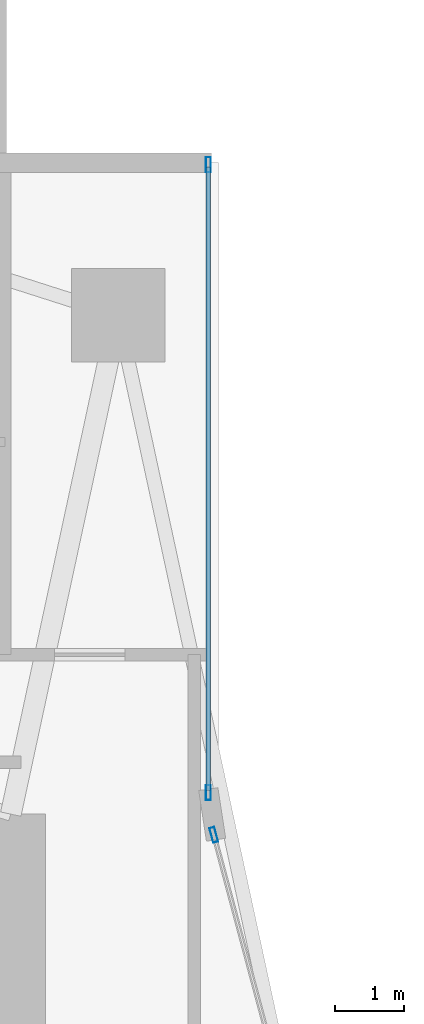
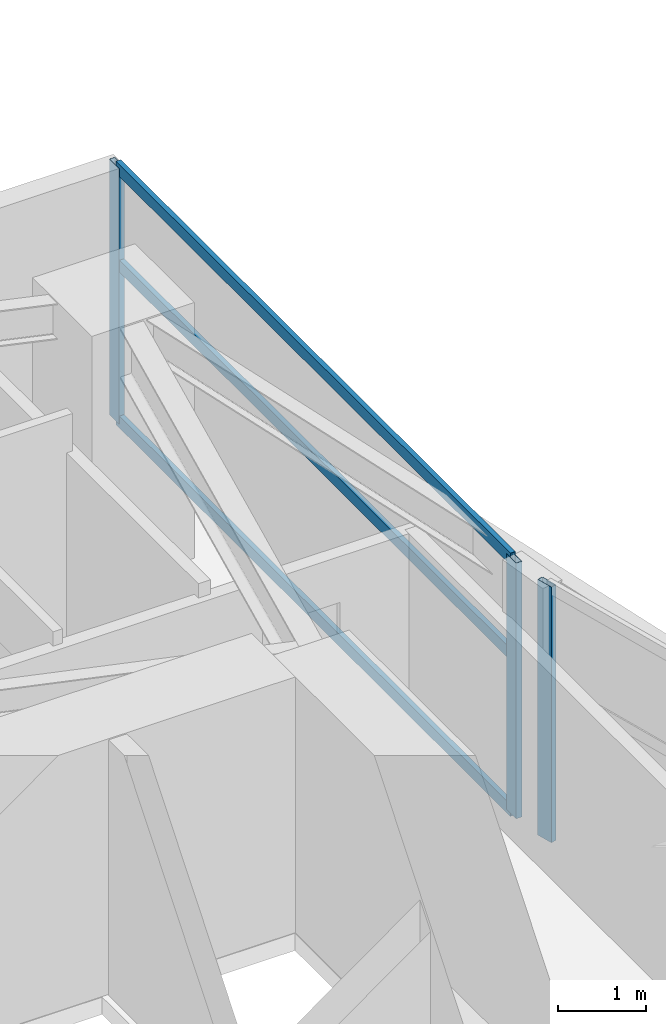
# One storey, part 18 of 29: 6 members, 2 elements without a shape of their own.
"""IFC4 building model written with IfcOpenShell, lengths in metres."""

from ifc_helpers import new_model, si_unit, direction, frame, origin, origin_2d, place, context, subcontext, project, spatial, hollow_rectangle, extrude, material, layer, layer_set, material_profile, profile_set, type_object, element, aggregate, save


model = new_model("IFC4")

# Units and contexts
model_context = context("Model", 3, precision=1e-05, world=origin(), true_north=direction((0.0, 1.0)))
body_context = subcontext(model_context, "Body", "Model", "MODEL_VIEW")
ifc_project = project(units=[si_unit("LENGTHUNIT", "METRE"), si_unit("AREAUNIT", "SQUARE_METRE"), si_unit("VOLUMEUNIT", "CUBIC_METRE"), si_unit("PLANEANGLEUNIT", "RADIAN"), si_unit("MASSUNIT", "GRAM", prefix="KILO")], contexts=[model_context])

# Site, building, storey
site_placement = place(None, origin())
site = spatial("IfcSite", under=ifc_project, at=site_placement, CompositionType="ELEMENT")
building_placement = place(site_placement, origin())
building = spatial("IfcBuilding", under=site, at=building_placement, Name="Calvorn Quay Hotel", CompositionType="ELEMENT")
storey_placement = place(building_placement, frame((0.0, 0.0, 38.39990234375)))
storey = spatial("IfcBuildingStorey", under=building, at=storey_placement, Name="L08", CompositionType="ELEMENT", Elevation=38.39990234375)

# Curtain wall, member
ifc_material_1 = material(Name="Pale Anodised Aluminium and Low-E Glass", Category="aluminium")
ifc_layer = layer(ifc_material_1, 0.219970703125)
ifc_layer_set = layer_set([ifc_layer], Name="CW-SYS-Z1")
curtain_wall_type = type_object("IfcCurtainWallType", Name="CW-SYS-Z1", PredefinedType="NOTDEFINED", material=ifc_layer_set)
curtain_wall_1_placement = place(storey_placement, origin())
curtain_wall_1 = element("IfcCurtainWall", 1, at=curtain_wall_1_placement, inside=storey, type_object=curtain_wall_type, Name="Inner Court Curtain Wall L08-IC1", PredefinedType="NOTDEFINED")
ifc_material_2 = material(Name="Pale Anodised Aluminium 6063-T6", Category="aluminium")
ifc_material_profile_1 = material_profile(ifc_material_2, hollow_rectangle(XDim=0.074951171875, YDim=0.219970703125, WallThickness=0.00439453125, at=origin_2d()), Name="ALU-M220x75x4.5")
ifc_profile_set_1 = profile_set([ifc_material_profile_1], Name="Pale Anodised Aluminium 6063-T6")
member_type_1 = type_object("IfcMemberType", Name="CW-SYS-Z1-MUL", PredefinedType="MULLION", material=ifc_profile_set_1)
member_1_placement = place(storey_placement, frame((17.9296875, 38.10107421875, 0.0), z_axis=(0.0, 0.0, 1.0), x_axis=(-0.96593652056, -0.25877913024, 0.0)))
member_1 = element("IfcMember", 2, at=member_1_placement, type_object=member_type_1, Name="CW-L08-IC1 mullion 2", PredefinedType="MULLION", context=body_context, shape_type="SweptSolid", body=[
    extrude(hollow_rectangle(XDim=0.074951171875, YDim=0.219970703125, WallThickness=0.00439453125, at=origin_2d()), origin(), (0.0, 0.0, 1.0), 3.56005859375),
])
aggregate(curtain_wall_1, [member_1])

# Curtain wall, members
curtain_wall_2_placement = place(storey_placement, origin())
curtain_wall_2 = element("IfcCurtainWall", 3, at=curtain_wall_2_placement, inside=storey, type_object=curtain_wall_type, Name="Inner Court Curtain Wall L08-IC2", PredefinedType="NOTDEFINED")
member_2_placement = place(storey_placement, frame((17.85009765625, 38.7099609375, 0.0), z_axis=(0.0, 0.0, 1.0), x_axis=(-1.0, 0.0, 0.0)))
member_2 = element("IfcMember", 4, at=member_2_placement, type_object=member_type_1, Name="CW-L08-IC2 mullion 1", PredefinedType="MULLION", context=body_context, shape_type="SweptSolid", body=[
    extrude(hollow_rectangle(XDim=0.074951171875, YDim=0.219970703125, WallThickness=0.00439453125, at=origin_2d()), origin(), (0.0, 0.0, 1.0), 3.56005859375),
])
member_3_placement = place(storey_placement, frame((17.85009765625, 47.77001953125, 0.0), z_axis=(0.0, 0.0, 1.0), x_axis=(-1.0, 0.0, 0.0)))
member_3 = element("IfcMember", 5, at=member_3_placement, type_object=member_type_1, Name="CW-L08-IC2 mullion 2", PredefinedType="MULLION", context=body_context, shape_type="SweptSolid", body=[
    extrude(hollow_rectangle(XDim=0.074951171875, YDim=0.219970703125, WallThickness=0.00439453125, at=origin_2d()), origin(), (0.0, 0.0, 1.0), 3.56005859375),
])
ifc_material_3 = material(Name="Pale Anodised Aluminium 6063-T6", Category="aluminium")
ifc_material_profile_2 = material_profile(ifc_material_3, hollow_rectangle(XDim=0.06494140625, YDim=0.1650390625, WallThickness=0.00341796875, at=origin_2d()), Name="ALU-T165x65x3.5")
ifc_profile_set_2 = profile_set([ifc_material_profile_2], Name="Pale Anodised Aluminium 6063-T6")
member_type_2 = type_object("IfcMemberType", Name="CW-SYS-Z1-TRN", PredefinedType="USERDEFINED", material=ifc_profile_set_2)
member_4_placement = place(storey_placement, frame((17.85009765625, 38.739990234375, 0.030029296875), z_axis=(0.0, 1.0, 0.0), x_axis=(-1.0, 0.0, 0.0)))
member_4 = element("IfcMember", 6, at=member_4_placement, type_object=member_type_2, Name="CW-L08-IC2 transom 1.1", ObjectType="TRANSOM", PredefinedType="USERDEFINED", context=body_context, shape_type="SweptSolid", body=[
    extrude(hollow_rectangle(XDim=0.06494140625, YDim=0.1650390625, WallThickness=0.00341796875, at=origin_2d()), origin(), (0.0, 0.0, 1.0), 9.0),
])
member_5_placement = place(storey_placement, frame((17.85009765625, 38.739990234375, 2.2001953125), z_axis=(0.0, 1.0, 0.0), x_axis=(-1.0, 0.0, 0.0)))
member_5 = element("IfcMember", 7, at=member_5_placement, type_object=member_type_2, Name="CW-L08-IC2 transom 1.2", ObjectType="TRANSOM", PredefinedType="USERDEFINED", context=body_context, shape_type="SweptSolid", body=[
    extrude(hollow_rectangle(XDim=0.06494140625, YDim=0.1650390625, WallThickness=0.00341796875, at=origin_2d()), origin(), (0.0, 0.0, 1.0), 9.0),
])
member_6_placement = place(storey_placement, frame((17.85009765625, 38.739990234375, 3.530029296875), z_axis=(0.0, 1.0, 0.0), x_axis=(-1.0, 0.0, 0.0)))
member_6 = element("IfcMember", 8, at=member_6_placement, type_object=member_type_2, Name="CW-L08-IC2 transom 1.3", ObjectType="TRANSOM", PredefinedType="USERDEFINED", context=body_context, shape_type="SweptSolid", body=[
    extrude(hollow_rectangle(XDim=0.06494140625, YDim=0.1650390625, WallThickness=0.00341796875, at=origin_2d()), origin(), (0.0, 0.0, 1.0), 9.0),
])
aggregate(curtain_wall_2, [member_2, member_3, member_4, member_5, member_6])

save(model, "model.ifc")
